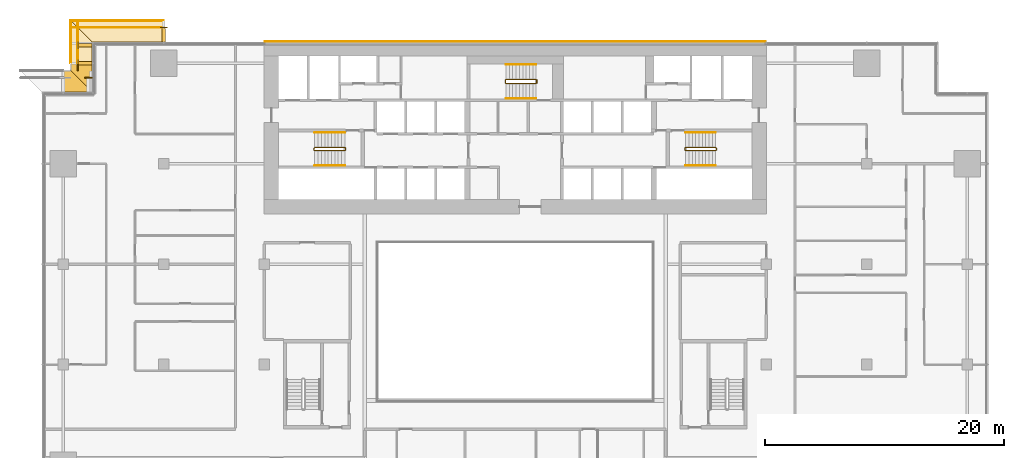
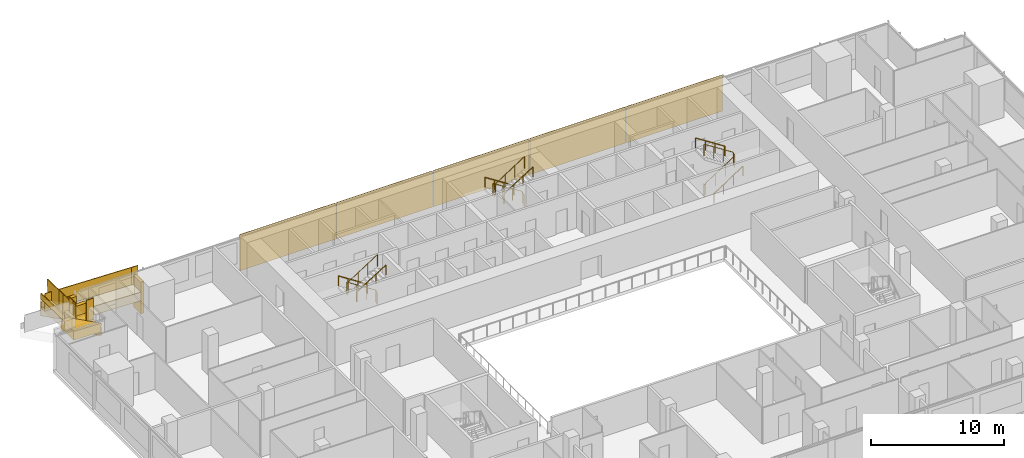
# One storey, part 27 of 30: 16 railings, 14 coverings.
"""IFC4 building model written with IfcOpenShell, lengths in metres."""

from ifc_helpers import new_model, si_unit, direction, frame, origin, origin_2d, place, context, subcontext, project, spatial, polyline, rectangle, circle, outline, extrude, material, layer, layer_set, type_object, element, save


model = new_model("IFC4")

# Units and contexts
model_context = context("Model", 3, precision=1e-05, world=origin(), true_north=direction((0.0, 1.0)))
body_context = subcontext(model_context, "Body", "Model", "MODEL_VIEW")
ifc_project = project(units=[si_unit("LENGTHUNIT", "METRE"), si_unit("AREAUNIT", "SQUARE_METRE"), si_unit("VOLUMEUNIT", "CUBIC_METRE"), si_unit("PLANEANGLEUNIT", "RADIAN"), si_unit("MASSUNIT", "GRAM", prefix="KILO")], contexts=[model_context])

# Site, building, storey
site_placement = place(None, origin())
site = spatial("IfcSite", under=ifc_project, at=site_placement, CompositionType="ELEMENT")
building_placement = place(site_placement, origin())
building = spatial("IfcBuilding", under=site, at=building_placement, Name="Saffron Gate Tower", CompositionType="ELEMENT")
storey_placement = place(building_placement, frame((0.0, 0.0, 69.60009765625)))
storey = spatial("IfcBuildingStorey", under=building, at=storey_placement, Name="L16", CompositionType="ELEMENT", Elevation=69.60009765625)

# Coverings
ifc_material_1 = material(Name="Ceramic-printed bronze insulated panel")
ifc_layer_1 = layer(ifc_material_1, 0.0400390625)
ifc_layer_set_1 = layer_set([ifc_layer_1], Name="CLD1 ceramic-printed cladding panel 40")
covering_type_1 = type_object("IfcCoveringType", Name="CLD1 ceramic-printed cladding panel 40", PredefinedType="CLADDING", material=ifc_layer_set_1)
covering_1_placement = place(storey_placement, origin())
element("IfcCovering", 1, at=covering_1_placement, inside=storey, type_object=covering_type_1, Name="CLADDING ceramic-printed panel", PredefinedType="CLADDING", context=body_context, shape_type="SweptSolid", body=[
    extrude(outline(polyline([(108.56494140625, 75.639892578125), (100.235107421875, 75.639892578125), (100.235107421875, 75.60009765625), (108.56494140625, 75.60009765625), (108.56494140625, 75.639892578125)])), origin(), (0.0, 0.0, 1.0), 3.31982421875),
])
covering_2_placement = place(storey_placement, origin())
element("IfcCovering", 2, at=covering_2_placement, inside=storey, type_object=covering_type_1, Name="CLADDING ceramic-printed panel", PredefinedType="CLADDING", context=body_context, shape_type="SweptSolid", body=[
    extrude(outline(polyline([(100.1650390625, 75.639892578125), (91.8349609375, 75.639892578125), (91.8349609375, 75.60009765625), (100.1650390625, 75.60009765625), (100.1650390625, 75.639892578125)])), origin(), (0.0, 0.0, 1.0), 3.31982421875),
])
covering_3_placement = place(storey_placement, origin())
element("IfcCovering", 3, at=covering_3_placement, inside=storey, type_object=covering_type_1, Name="CLADDING ceramic-printed panel", PredefinedType="CLADDING", context=body_context, shape_type="SweptSolid", body=[
    extrude(outline(polyline([(91.764892578125, 75.639892578125), (83.43505859375, 75.639892578125), (83.43505859375, 75.60009765625), (91.764892578125, 75.60009765625), (91.764892578125, 75.639892578125)])), origin(), (0.0, 0.0, 1.0), 3.31982421875),
])
covering_4_placement = place(storey_placement, origin())
element("IfcCovering", 4, at=covering_4_placement, inside=storey, type_object=covering_type_1, Name="CLADDING ceramic-printed panel", PredefinedType="CLADDING", context=body_context, shape_type="SweptSolid", body=[
    extrude(outline(polyline([(83.364990234375, 75.639892578125), (75.034912109375, 75.639892578125), (75.034912109375, 75.60009765625), (83.364990234375, 75.60009765625), (83.364990234375, 75.639892578125)])), origin(), (0.0, 0.0, 1.0), 3.31982421875),
])
covering_5_placement = place(storey_placement, origin())
element("IfcCovering", 5, at=covering_5_placement, inside=storey, type_object=covering_type_1, Name="CLADDING ceramic-printed panel", PredefinedType="CLADDING", context=body_context, shape_type="SweptSolid", body=[
    extrude(outline(polyline([(74.965087890625, 75.639892578125), (66.635009765625, 75.639892578125), (66.635009765625, 75.60009765625), (74.965087890625, 75.60009765625), (74.965087890625, 75.639892578125)])), origin(), (0.0, 0.0, 1.0), 3.31982421875),
])

# Railings
ifc_material_2 = material(Name="Stainless steel and laminated glass", Category="steel")
railing_type_1 = type_object("IfcRailingType", Name="CR1 Stair guard 1100", PredefinedType="GUARDRAIL", material=ifc_material_2)
railing_1_placement = place(storey_placement, frame((73.39990234375, 66.550048828125, 0.0)))
element("IfcRailing", 6, at=railing_1_placement, inside=storey, type_object=railing_type_1, Name="L16 ST-A stair guard 1", PredefinedType="GUARDRAIL", context=body_context, shape_type="SweptSolid", body=[
    extrude(circle(Radius=0.02392578125, at=origin_2d()), frame((0.0, 0.0, 1.076171875), z_axis=(0.0, 1.0, 0.0), x_axis=(-1.0, 0.0, 0.0)), (0.0, 0.0, 1.0), 0.14990234375),
    extrude(circle(Radius=0.02392578125, at=origin_2d()), frame((0.0, 0.14990234375, 1.076171875), z_axis=(-0.257669022063, 0.258932105505, 0.930892496375), x_axis=(-0.708833529934, -0.705375805398, 0.0)), (0.0, 0.0, 1.0), 0.193359375),
    extrude(circle(Radius=0.02392578125, at=origin_2d()), frame((-0.0498046875, 0.199951171875, 1.255859375), z_axis=(-0.841199657755, 0.0, 0.540724639528), x_axis=(0.0, -1.0, 0.0)), (0.0, 0.0, 1.0), 2.995849609375),
    extrude(circle(Radius=0.02392578125, at=origin_2d()), frame((-2.56982421875, 0.199951171875, 2.8759765625), z_axis=(-0.707106781187, -0.707106781187, 0.0), x_axis=(0.707106781187, -0.707106781187, 0.0)), (0.0, 0.0, 1.0), 0.07080078125),
    extrude(circle(Radius=0.02392578125, at=origin_2d()), frame((-2.619873046875, 0.14990234375, 2.8759765625), z_axis=(0.0, -1.0, 0.0), x_axis=(1.0, 0.0, 0.0)), (0.0, 0.0, 1.0), 0.14990234375),
    extrude(circle(Radius=0.02392578125, at=origin_2d()), frame((-2.619873046875, 0.0, 2.8759765625), z_axis=(0.258543844998, -0.258543844998, 0.930757841991), x_axis=(0.707106781187, 0.707106781187, 0.0)), (0.0, 0.0, 1.0), 0.193603515625),
    extrude(circle(Radius=0.02392578125, at=origin_2d()), frame((-2.56982421875, -0.050048828125, 3.05615234375), z_axis=(0.841199657755, 0.0, 0.540724639528), x_axis=(0.0, 1.0, 0.0)), (0.0, 0.0, 1.0), 2.995849609375),
    extrude(circle(Radius=0.02099609375, at=origin_2d()), origin(), (0.0, 0.0, 1.0), 1.052001953125),
    extrude(circle(Radius=0.02099609375, at=origin_2d()), frame((0.0, 0.14990234375, 0.0)), (0.0, 0.0, 1.0), 1.052001953125),
    extrude(circle(Radius=0.02099609375, at=origin_2d()), frame((-0.0498046875, 0.199951171875, 0.179931640625)), (0.0, 0.0, 1.0), 1.052001953125),
    extrude(circle(Radius=0.02099609375, at=origin_2d()), frame((-0.889892578125, 0.199951171875, 0.719970703125)), (0.0, 0.0, 1.0), 1.052001953125),
    extrude(circle(Radius=0.02099609375, at=origin_2d()), frame((-1.729736328125, 0.199951171875, 1.259765625)), (0.0, 0.0, 1.0), 1.052001953125),
    extrude(circle(Radius=0.02099609375, at=origin_2d()), frame((-2.56982421875, 0.199951171875, 1.7998046875)), (0.0, 0.0, 1.0), 1.052001953125),
    extrude(circle(Radius=0.02099609375, at=origin_2d()), frame((-2.619873046875, 0.14990234375, 1.7998046875)), (0.0, 0.0, 1.0), 1.052001953125),
    extrude(circle(Radius=0.02099609375, at=origin_2d()), frame((-2.619873046875, 0.0, 1.7998046875)), (0.0, 0.0, 1.0), 1.052001953125),
    extrude(circle(Radius=0.02099609375, at=origin_2d()), frame((-2.56982421875, -0.050048828125, 1.97998046875)), (0.0, 0.0, 1.0), 1.052001953125),
    extrude(circle(Radius=0.02099609375, at=origin_2d()), frame((-1.729736328125, -0.050048828125, 2.52001953125)), (0.0, 0.0, 1.0), 1.052001953125),
    extrude(circle(Radius=0.02099609375, at=origin_2d()), frame((-0.889892578125, -0.050048828125, 3.059814453125)), (0.0, 0.0, 1.0), 1.052001953125),
    extrude(circle(Radius=0.02099609375, at=origin_2d()), frame((-0.0498046875, -0.050048828125, 3.599853515625)), (0.0, 0.0, 1.0), 1.052001953125),
])
railing_2_placement = place(storey_placement, frame((101.800048828125, 66.699951171875, 0.0)))
element("IfcRailing", 7, at=railing_2_placement, inside=storey, type_object=railing_type_1, Name="L16 ST-B stair guard 1", PredefinedType="GUARDRAIL", context=body_context, shape_type="SweptSolid", body=[
    extrude(circle(Radius=0.02392578125, at=origin_2d()), frame((0.0, 0.0, 1.076171875), z_axis=(0.0, -1.0, 0.0), x_axis=(1.0, 0.0, 0.0)), (0.0, 0.0, 1.0), 0.14990234375),
    extrude(circle(Radius=0.02392578125, at=origin_2d()), frame((0.0, -0.14990234375, 1.076171875), z_axis=(0.258847668887, -0.258847668887, 0.930588936439), x_axis=(0.707106781187, 0.707106781187, 0.0)), (0.0, 0.0, 1.0), 0.193359375),
    extrude(circle(Radius=0.02392578125, at=origin_2d()), frame((0.050048828125, -0.199951171875, 1.255859375), z_axis=(0.841199657755, 0.0, 0.540724639528), x_axis=(0.0, 1.0, 0.0)), (0.0, 0.0, 1.0), 2.995849609375),
    extrude(circle(Radius=0.02392578125, at=origin_2d()), frame((2.570068359375, -0.199951171875, 2.8759765625), z_axis=(0.705375805398, 0.708833529934, 0.0), x_axis=(-0.708833529934, 0.705375805398, 0.0)), (0.0, 0.0, 1.0), 0.070556640625),
    extrude(circle(Radius=0.02392578125, at=origin_2d()), frame((2.619873046875, -0.14990234375, 2.8759765625), z_axis=(0.0, 1.0, 0.0), x_axis=(-1.0, 0.0, 0.0)), (0.0, 0.0, 1.0), 0.14990234375),
    extrude(circle(Radius=0.02392578125, at=origin_2d()), frame((2.619873046875, 0.0, 2.8759765625), z_axis=(-0.257366384619, 0.258627984543, 0.931060744355), x_axis=(-0.708833529934, -0.705375805398, 0.0)), (0.0, 0.0, 1.0), 0.193603515625),
    extrude(circle(Radius=0.02392578125, at=origin_2d()), frame((2.570068359375, 0.050048828125, 3.05615234375), z_axis=(-0.841199657755, 0.0, 0.540724639528), x_axis=(0.0, -1.0, 0.0)), (0.0, 0.0, 1.0), 2.995849609375),
    extrude(circle(Radius=0.02099609375, at=origin_2d()), origin(), (0.0, 0.0, 1.0), 1.052001953125),
    extrude(circle(Radius=0.02099609375, at=origin_2d()), frame((0.0, -0.14990234375, 0.0)), (0.0, 0.0, 1.0), 1.052001953125),
    extrude(circle(Radius=0.02099609375, at=origin_2d()), frame((0.050048828125, -0.199951171875, 0.179931640625)), (0.0, 0.0, 1.0), 1.052001953125),
    extrude(circle(Radius=0.02099609375, at=origin_2d()), frame((0.89013671875, -0.199951171875, 0.719970703125)), (0.0, 0.0, 1.0), 1.052001953125),
    extrude(circle(Radius=0.02099609375, at=origin_2d()), frame((1.72998046875, -0.199951171875, 1.259765625)), (0.0, 0.0, 1.0), 1.052001953125),
    extrude(circle(Radius=0.02099609375, at=origin_2d()), frame((2.570068359375, -0.199951171875, 1.7998046875)), (0.0, 0.0, 1.0), 1.052001953125),
    extrude(circle(Radius=0.02099609375, at=origin_2d()), frame((2.619873046875, -0.14990234375, 1.7998046875)), (0.0, 0.0, 1.0), 1.052001953125),
    extrude(circle(Radius=0.02099609375, at=origin_2d()), frame((2.619873046875, 0.0, 1.7998046875)), (0.0, 0.0, 1.0), 1.052001953125),
    extrude(circle(Radius=0.02099609375, at=origin_2d()), frame((2.570068359375, 0.050048828125, 1.97998046875)), (0.0, 0.0, 1.0), 1.052001953125),
    extrude(circle(Radius=0.02099609375, at=origin_2d()), frame((1.72998046875, 0.050048828125, 2.52001953125)), (0.0, 0.0, 1.0), 1.052001953125),
    extrude(circle(Radius=0.02099609375, at=origin_2d()), frame((0.89013671875, 0.050048828125, 3.059814453125)), (0.0, 0.0, 1.0), 1.052001953125),
    extrude(circle(Radius=0.02099609375, at=origin_2d()), frame((0.050048828125, 0.050048828125, 3.599853515625)), (0.0, 0.0, 1.0), 1.052001953125),
])
railing_3_placement = place(storey_placement, frame((89.39990234375, 72.14990234375, 0.0)))
element("IfcRailing", 8, at=railing_3_placement, inside=storey, type_object=railing_type_1, Name="L16 ST-C stair guard 1", PredefinedType="GUARDRAIL", context=body_context, shape_type="SweptSolid", body=[
    extrude(circle(Radius=0.02392578125, at=origin_2d()), frame((0.0, 0.0, 1.076171875), z_axis=(0.0, 1.0, 0.0), x_axis=(-1.0, 0.0, 0.0)), (0.0, 0.0, 1.0), 0.25),
    extrude(circle(Radius=0.02392578125, at=origin_2d()), frame((0.0, 0.25, 1.076171875), z_axis=(-0.257669022063, 0.258932105505, 0.930892496375), x_axis=(-0.708833529934, -0.705375805398, 0.0)), (0.0, 0.0, 1.0), 0.193359375),
    extrude(circle(Radius=0.02392578125, at=origin_2d()), frame((-0.0498046875, 0.300048828125, 1.255859375), z_axis=(-0.841199657755, 0.0, 0.540724639528), x_axis=(0.0, -1.0, 0.0)), (0.0, 0.0, 1.0), 2.995849609375),
    extrude(circle(Radius=0.02392578125, at=origin_2d()), frame((-2.56982421875, 0.300048828125, 2.8759765625), z_axis=(-0.707106781187, -0.707106781187, 0.0), x_axis=(0.707106781187, -0.707106781187, 0.0)), (0.0, 0.0, 1.0), 0.07080078125),
    extrude(circle(Radius=0.02392578125, at=origin_2d()), frame((-2.619873046875, 0.25, 2.8759765625), z_axis=(0.0, -1.0, 0.0), x_axis=(1.0, 0.0, 0.0)), (0.0, 0.0, 1.0), 0.25),
    extrude(circle(Radius=0.02392578125, at=origin_2d()), frame((-2.619873046875, 0.0, 2.8759765625), z_axis=(0.258627984543, -0.257366384619, 0.931060744355), x_axis=(0.705375805398, 0.708833529934, 0.0)), (0.0, 0.0, 1.0), 0.193603515625),
    extrude(circle(Radius=0.02392578125, at=origin_2d()), frame((-2.56982421875, -0.0498046875, 3.05615234375), z_axis=(0.841199657755, 0.0, 0.540724639528), x_axis=(0.0, 1.0, 0.0)), (0.0, 0.0, 1.0), 2.995849609375),
    extrude(circle(Radius=0.02099609375, at=origin_2d()), origin(), (0.0, 0.0, 1.0), 1.052001953125),
    extrude(circle(Radius=0.02099609375, at=origin_2d()), frame((0.0, 0.25, 0.0)), (0.0, 0.0, 1.0), 1.052001953125),
    extrude(circle(Radius=0.02099609375, at=origin_2d()), frame((-0.0498046875, 0.300048828125, 0.179931640625)), (0.0, 0.0, 1.0), 1.052001953125),
    extrude(circle(Radius=0.02099609375, at=origin_2d()), frame((-0.889892578125, 0.300048828125, 0.719970703125)), (0.0, 0.0, 1.0), 1.052001953125),
    extrude(circle(Radius=0.02099609375, at=origin_2d()), frame((-1.729736328125, 0.300048828125, 1.259765625)), (0.0, 0.0, 1.0), 1.052001953125),
    extrude(circle(Radius=0.02099609375, at=origin_2d()), frame((-2.56982421875, 0.300048828125, 1.7998046875)), (0.0, 0.0, 1.0), 1.052001953125),
    extrude(circle(Radius=0.02099609375, at=origin_2d()), frame((-2.619873046875, 0.25, 1.7998046875)), (0.0, 0.0, 1.0), 1.052001953125),
    extrude(circle(Radius=0.02099609375, at=origin_2d()), frame((-2.619873046875, 0.0, 1.7998046875)), (0.0, 0.0, 1.0), 1.052001953125),
    extrude(circle(Radius=0.02099609375, at=origin_2d()), frame((-2.56982421875, -0.0498046875, 1.97998046875)), (0.0, 0.0, 1.0), 1.052001953125),
    extrude(circle(Radius=0.02099609375, at=origin_2d()), frame((-1.729736328125, -0.0498046875, 2.52001953125)), (0.0, 0.0, 1.0), 1.052001953125),
    extrude(circle(Radius=0.02099609375, at=origin_2d()), frame((-0.889892578125, -0.0498046875, 3.059814453125)), (0.0, 0.0, 1.0), 1.052001953125),
    extrude(circle(Radius=0.02099609375, at=origin_2d()), frame((-0.0498046875, -0.0498046875, 3.599853515625)), (0.0, 0.0, 1.0), 1.052001953125),
])
ifc_material_3 = material(Name="Stainless steel", Category="steel")
railing_type_2 = type_object("IfcRailingType", Name="CR2 Stair handrail 900", PredefinedType="HANDRAIL", material=ifc_material_3)
railing_4_placement = place(storey_placement, frame((73.35009765625, 68.0, 0.179931640625)))
element("IfcRailing", 9, at=railing_4_placement, inside=storey, type_object=railing_type_2, Name="L16 ST-A stair handrail 1", PredefinedType="HANDRAIL", context=body_context, shape_type="SweptSolid", body=[
    extrude(circle(Radius=0.02392578125, at=origin_2d()), frame((0.0, 0.0, 0.8759765625), z_axis=(-0.841199657755, 0.0, 0.540724639528), x_axis=(0.0, -1.0, 0.0)), (0.0, 0.0, 1.0), 2.995849609375),
    extrude(circle(Radius=0.02099609375, at=origin_2d()), origin(), (0.0, 0.0, 1.0), 0.851806640625),
    extrude(circle(Radius=0.02099609375, at=origin_2d()), frame((-0.840087890625, 0.0, 0.5400390625)), (0.0, 0.0, 1.0), 0.851806640625),
    extrude(circle(Radius=0.02099609375, at=origin_2d()), frame((-1.679931640625, 0.0, 1.079833984375)), (0.0, 0.0, 1.0), 0.851806640625),
    extrude(circle(Radius=0.02099609375, at=origin_2d()), frame((-2.52001953125, 0.0, 1.619873046875)), (0.0, 0.0, 1.0), 0.851806640625),
])
for number, where, name in (
    (10, (70.830078125, 65.25, 1.97998046875), "L16 ST-A stair handrail 2"),
    (11, (101.85009765625, 65.25, 0.179931640625), "L16 ST-B stair handrail 1"),
):
    element("IfcRailing", number, at=place(storey_placement, frame(where)), inside=storey, type_object=railing_type_2, Name=name, PredefinedType="HANDRAIL", context=body_context, shape_type="SweptSolid", body=[
        extrude(circle(Radius=0.02392578125, at=origin_2d()), frame((0.0, 0.0, 0.8759765625), z_axis=(0.841199657755, 0.0, 0.540724639528), x_axis=(0.0, 1.0, 0.0)), (0.0, 0.0, 1.0), 2.995849609375),
        extrude(circle(Radius=0.02099609375, at=origin_2d()), origin(), (0.0, 0.0, 1.0), 0.851806640625),
        extrude(circle(Radius=0.02099609375, at=origin_2d()), frame((0.840087890625, 0.0, 0.5400390625)), (0.0, 0.0, 1.0), 0.851806640625),
        extrude(circle(Radius=0.02099609375, at=origin_2d()), frame((1.679931640625, 0.0, 1.079833984375)), (0.0, 0.0, 1.0), 0.851806640625),
        extrude(circle(Radius=0.02099609375, at=origin_2d()), frame((2.52001953125, 0.0, 1.619873046875)), (0.0, 0.0, 1.0), 0.851806640625),
    ])
for number, where, name in (
    (12, (104.3701171875, 68.0, 1.97998046875), "L16 ST-B stair handrail 2"),
    (13, (89.35009765625, 73.699951171875, 0.179931640625), "L16 ST-C stair handrail 1"),
):
    element("IfcRailing", number, at=place(storey_placement, frame(where)), inside=storey, type_object=railing_type_2, Name=name, PredefinedType="HANDRAIL", context=body_context, shape_type="SweptSolid", body=[
        extrude(circle(Radius=0.02392578125, at=origin_2d()), frame((0.0, 0.0, 0.8759765625), z_axis=(-0.841199657755, 0.0, 0.540724639528), x_axis=(0.0, -1.0, 0.0)), (0.0, 0.0, 1.0), 2.995849609375),
        extrude(circle(Radius=0.02099609375, at=origin_2d()), origin(), (0.0, 0.0, 1.0), 0.851806640625),
        extrude(circle(Radius=0.02099609375, at=origin_2d()), frame((-0.840087890625, 0.0, 0.5400390625)), (0.0, 0.0, 1.0), 0.851806640625),
        extrude(circle(Radius=0.02099609375, at=origin_2d()), frame((-1.679931640625, 0.0, 1.079833984375)), (0.0, 0.0, 1.0), 0.851806640625),
        extrude(circle(Radius=0.02099609375, at=origin_2d()), frame((-2.52001953125, 0.0, 1.619873046875)), (0.0, 0.0, 1.0), 0.851806640625),
    ])
railing_5_placement = place(storey_placement, frame((86.830078125, 70.85009765625, 1.97998046875)))
element("IfcRailing", 14, at=railing_5_placement, inside=storey, type_object=railing_type_2, Name="L16 ST-C stair handrail 2", PredefinedType="HANDRAIL", context=body_context, shape_type="SweptSolid", body=[
    extrude(circle(Radius=0.02392578125, at=origin_2d()), frame((0.0, 0.0, 0.8759765625), z_axis=(0.841199657755, 0.0, 0.540724639528), x_axis=(0.0, 1.0, 0.0)), (0.0, 0.0, 1.0), 2.995849609375),
    extrude(circle(Radius=0.02099609375, at=origin_2d()), origin(), (0.0, 0.0, 1.0), 0.851806640625),
    extrude(circle(Radius=0.02099609375, at=origin_2d()), frame((0.840087890625, 0.0, 0.5400390625)), (0.0, 0.0, 1.0), 0.851806640625),
    extrude(circle(Radius=0.02099609375, at=origin_2d()), frame((1.679931640625, 0.0, 1.079833984375)), (0.0, 0.0, 1.0), 0.851806640625),
    extrude(circle(Radius=0.02099609375, at=origin_2d()), frame((2.52001953125, 0.0, 1.619873046875)), (0.0, 0.0, 1.0), 0.851806640625),
])

# Coverings
ifc_material_4 = material(Name="Timber, thermally modified ash", Category="wood")
ifc_layer_2 = layer(ifc_material_4, 0.800048828125)
ifc_layer_set_2 = layer_set([ifc_layer_2], Name="LD1 ledge timber")
covering_type_2 = type_object("IfcCoveringType", Name="LD1 ledge timber", PredefinedType="CLADDING", material=ifc_layer_set_2)
covering_6_placement = place(storey_placement, frame((58.199951171875, 75.60009765625, 1.055419921875), z_axis=(0.028807146299, -3.5032058e-05, 0.99958498743), x_axis=(-0.999584988043, -3.68e-10, 0.028807146316)))
element("IfcCovering", 15, at=covering_6_placement, inside=storey, type_object=covering_type_2, Name="LEDGE", PredefinedType="CLADDING", context=body_context, shape_type="SweptSolid", body=[
    extrude(outline(polyline([(0.0, 0.0), (6.0024892885105, 0.0), (7.8032891020589235, -1.799804691475862), (-6.622937652876953e-10, -1.7998046863955992), (0.0, 0.0)])), origin(), (0.0, 0.0, -1.0), 0.800048828125),
])
covering_7_placement = place(storey_placement, frame((52.199951171875, 75.60009765625, 2.085693359375), z_axis=(4.3887651e-05, 0.028833291474, 0.999584233257), x_axis=(-1.925e-09, -0.99958423422, 0.028833291502)))
element("IfcCovering", 16, at=covering_7_placement, inside=storey, type_object=covering_type_2, Name="LEDGE", PredefinedType="CLADDING", context=body_context, shape_type="SweptSolid", body=[
    extrude(outline(polyline([(0.0, 0.0), (1.8007998168930421, 4.235164736271502e-22), (1.8007998203587168, -1.8000488263914396), (-1.8005487349298768, -1.8000488367923182), (0.0, 0.0)])), origin(), (0.0, 0.0, -1.0), 0.800048828125),
])
covering_8_placement = place(storey_placement, frame((52.199951171875, 73.800048828125, 2.394775390625), z_axis=(2.6333678e-05, 0.028794305201, 0.999585357683), x_axis=(5.2e-10, -0.99958535803, 0.028794305211)))
element("IfcCovering", 17, at=covering_8_placement, inside=storey, type_object=covering_type_2, Name="LEDGE", PredefinedType="CLADDING", context=body_context, shape_type="SweptSolid", body=[
    extrude(outline(polyline([(0.0, 0.0), (2.401140733194568, 0.0), (0.6003479496762917, -1.8000488290612322), (-9.357805408281585e-10, -1.8000488275008664), (0.0, 0.0)])), origin(), (0.0, 0.0, -1.0), 0.800048828125),
])
covering_9_placement = place(storey_placement, frame((52.199951171875, 71.39990234375, 2.806884765625), z_axis=(0.028717702301, -7.9786444e-05, 0.99958755855), x_axis=(-0.999587561732, 4.773e-09, 0.028717702392)))
element("IfcCovering", 18, at=covering_9_placement, inside=storey, type_object=covering_type_2, Name="LEDGE", PredefinedType="CLADDING", context=body_context, shape_type="SweptSolid", body=[
    extrude(outline(polyline([(0.0, 0.0), (2.400896689844359, 8.470329472543003e-22), (2.400896698435549, -1.8000488223955553), (1.8007998043088487, -1.800048836718559), (0.0, 0.0)])), origin(), (0.0, 0.0, -1.0), 0.800048828125),
])
ifc_layer_3 = layer(ifc_material_4, 0.080078125)
ifc_layer_set_3 = layer_set([ifc_layer_3], Name="LD2 ledge planter trough")
covering_type_3 = type_object("IfcCoveringType", Name="LD2 ledge planter trough", PredefinedType="CLADDING", material=ifc_layer_set_3)
covering_10_placement = place(storey_placement, frame((58.199951171875, 77.39990234375, 1.055419921875), z_axis=(0.0, 1.0, 0.0), x_axis=(-0.999584755248, 0.0, 0.028815222999)))
element("IfcCovering", 19, at=covering_10_placement, inside=storey, type_object=covering_type_3, Name="LEDGE planter trough", PredefinedType="CLADDING", context=body_context, shape_type="SweptSolid", body=[
    extrude(outline(polyline([(0.0, 0.0), (7.803289102975944, 0.0), (7.8176967144752565, 0.4997923776238338), (0.014407611499312996, 0.4997923776238338), (0.0, 0.0)])), origin(), (0.0, 0.0, -1.0), 0.080078125),
])
covering_11_placement = place(storey_placement, frame((50.39990234375, 77.39990234375, 2.033935546875), z_axis=(-1.0, 0.0, 0.0), x_axis=(0.0, -0.999584866472, 0.028811364412)))
element("IfcCovering", 20, at=covering_11_placement, inside=storey, type_object=covering_type_3, Name="LEDGE planter trough", PredefinedType="CLADDING", context=body_context, shape_type="SweptSolid", body=[
    extrude(outline(polyline([(0.0, 0.0), (3.601348556155073, 0.0), (3.6157542383609322, 0.49979243323622236), (0.01440568220585924, 0.49979243323622236), (0.0, 0.0)])), origin(), (0.0, 0.0, -1.0), 0.080078125),
])
ifc_layer_4 = layer(ifc_material_4, 0.300048828125)
ifc_layer_set_4 = layer_set([ifc_layer_4], Name="LD3 ledge riser fin")
covering_type_4 = type_object("IfcCoveringType", Name="LD3 ledge riser fin", PredefinedType="CLADDING", material=ifc_layer_set_4)
covering_12_placement = place(storey_placement, frame((58.199951171875, 76.159912109375, -0.94482421875), z_axis=(0.0, 0.0, 1.0), x_axis=(-1.0, 0.0, 0.0)))
element("IfcCovering", 21, at=covering_12_placement, inside=storey, type_object=covering_type_4, Name="LEDGE riser fin", PredefinedType="CLADDING", context=body_context, shape_type="SweptSolid", body=[
    extrude(rectangle(XDim=0.300048828125, YDim=1.1201171875, at=origin_2d()), origin(), (0.0, 0.0, 1.0), 2.900390625),
])
covering_13_placement = place(storey_placement, frame((51.639892578125, 75.300048828125, 0.42822265625), z_axis=(0.0, 0.0, 1.0), x_axis=(0.0, -1.0, 0.0)))
element("IfcCovering", 22, at=covering_13_placement, inside=storey, type_object=covering_type_4, Name="LEDGE riser fin", PredefinedType="CLADDING", context=body_context, shape_type="SweptSolid", body=[
    extrude(rectangle(XDim=0.300048828125, YDim=1.1201171875, at=origin_2d()), origin(), (0.0, 0.0, 1.0), 2.557373046875),
])
covering_14_placement = place(storey_placement, frame((51.639892578125, 73.800048828125, 1.33740234375), z_axis=(0.0, 0.0, 1.0), x_axis=(0.0, -1.0, 0.0)))
element("IfcCovering", 23, at=covering_14_placement, inside=storey, type_object=covering_type_4, Name="LEDGE riser fin", PredefinedType="CLADDING", context=body_context, shape_type="SweptSolid", body=[
    extrude(rectangle(XDim=0.300048828125, YDim=1.1201171875, at=origin_2d()), origin(), (0.0, 0.0, 1.0), 1.957275390625),
])

# Railings
railing_type_3 = type_object("IfcRailingType", Name="LG1 ledge balustrade", PredefinedType="BALUSTRADE", material=ifc_material_4)
railing_6_placement = place(storey_placement, frame((58.199951171875, 76.800048828125, 1.055419921875)))
element("IfcRailing", 24, at=railing_6_placement, inside=storey, type_object=railing_type_3, Name="LEDGE BALUSTRADE", PredefinedType="BALUSTRADE", context=body_context, shape_type="SweptSolid", body=[
    extrude(rectangle(XDim=0.06005859375, YDim=1.60009765625, at=origin_2d()), frame((0.0, 0.0, 0.800048828125), z_axis=(-0.999584755248, 0.0, 0.028815222999), x_axis=(0.0, -1.0, 0.0)), (0.0, 0.0, 1.0), 7.80322265625),
])
railing_7_placement = place(storey_placement, frame((58.5, 76.800048828125, -0.144775390625)))
element("IfcRailing", 25, at=railing_7_placement, inside=storey, type_object=railing_type_3, Name="LEDGE BALUSTRADE", PredefinedType="BALUSTRADE", context=body_context, shape_type="SweptSolid", body=[
    extrude(rectangle(XDim=0.06005859375, YDim=2.80029296875, at=origin_2d()), frame((0.0, 0.0, 1.400146484375), z_axis=(-1.0, 0.0, 0.0), x_axis=(0.0, -1.0, 0.0)), (0.0, 0.0, 1.0), 0.60009765625),
])
railing_8_placement = place(storey_placement, frame((51.0, 77.39990234375, 2.033935546875)))
element("IfcRailing", 26, at=railing_8_placement, inside=storey, type_object=railing_type_3, Name="LEDGE BALUSTRADE", PredefinedType="BALUSTRADE", context=body_context, shape_type="SweptSolid", body=[
    extrude(rectangle(XDim=0.06005859375, YDim=1.60009765625, at=origin_2d()), frame((0.0, 0.0, 0.800048828125), z_axis=(0.0, -0.999584866472, 0.028811364412), x_axis=(1.0, 0.0, 0.0)), (0.0, 0.0, 1.0), 3.601318359375),
])
railing_9_placement = place(storey_placement, frame((51.0, 75.60009765625, 1.228271484375)))
element("IfcRailing", 27, at=railing_9_placement, inside=storey, type_object=railing_type_3, Name="LEDGE BALUSTRADE", PredefinedType="BALUSTRADE", context=body_context, shape_type="SweptSolid", body=[
    extrude(rectangle(XDim=0.06005859375, YDim=2.45751953125, at=origin_2d()), frame((0.0, 0.0, 1.228759765625), z_axis=(0.0, -1.0, 0.0), x_axis=(1.0, 0.0, 0.0)), (0.0, 0.0, 1.0), 0.60009765625),
])
railing_10_placement = place(storey_placement, frame((51.0, 73.800048828125, 2.394775390625)))
element("IfcRailing", 28, at=railing_10_placement, inside=storey, type_object=railing_type_3, Name="LEDGE BALUSTRADE", PredefinedType="BALUSTRADE", context=body_context, shape_type="SweptSolid", body=[
    extrude(rectangle(XDim=0.06005859375, YDim=1.60009765625, at=origin_2d()), frame((0.0, 0.0, 0.800048828125), z_axis=(0.0, -0.999583081391, 0.028873229772), x_axis=(1.0, 0.0, 0.0)), (0.0, 0.0, 1.0), 0.600341796875),
])
railing_11_placement = place(storey_placement, frame((51.0, 74.10009765625, 2.1376953125)))
element("IfcRailing", 29, at=railing_11_placement, inside=storey, type_object=railing_type_3, Name="LEDGE BALUSTRADE", PredefinedType="BALUSTRADE", context=body_context, shape_type="SweptSolid", body=[
    extrude(rectangle(XDim=0.06005859375, YDim=1.857177734375, at=origin_2d()), frame((0.0, 0.0, 0.9287109375), z_axis=(0.0, -1.0, 0.0), x_axis=(1.0, 0.0, 0.0)), (0.0, 0.0, 1.0), 0.60009765625),
])
railing_12_placement = place(storey_placement, frame((52.199951171875, 72.60009765625, 2.4638671875)))
element("IfcRailing", 30, at=railing_12_placement, inside=storey, type_object=railing_type_3, Name="LEDGE BALUSTRADE", PredefinedType="BALUSTRADE", context=body_context, shape_type="SweptSolid", body=[
    extrude(rectangle(XDim=0.06005859375, YDim=1.943115234375, at=origin_2d()), frame((0.0, 0.0, 0.9716796875), z_axis=(-1.0, 0.0, 0.0), x_axis=(0.0, -1.0, 0.0)), (0.0, 0.0, 1.0), 0.599853515625),
])

save(model, "model.ifc")
